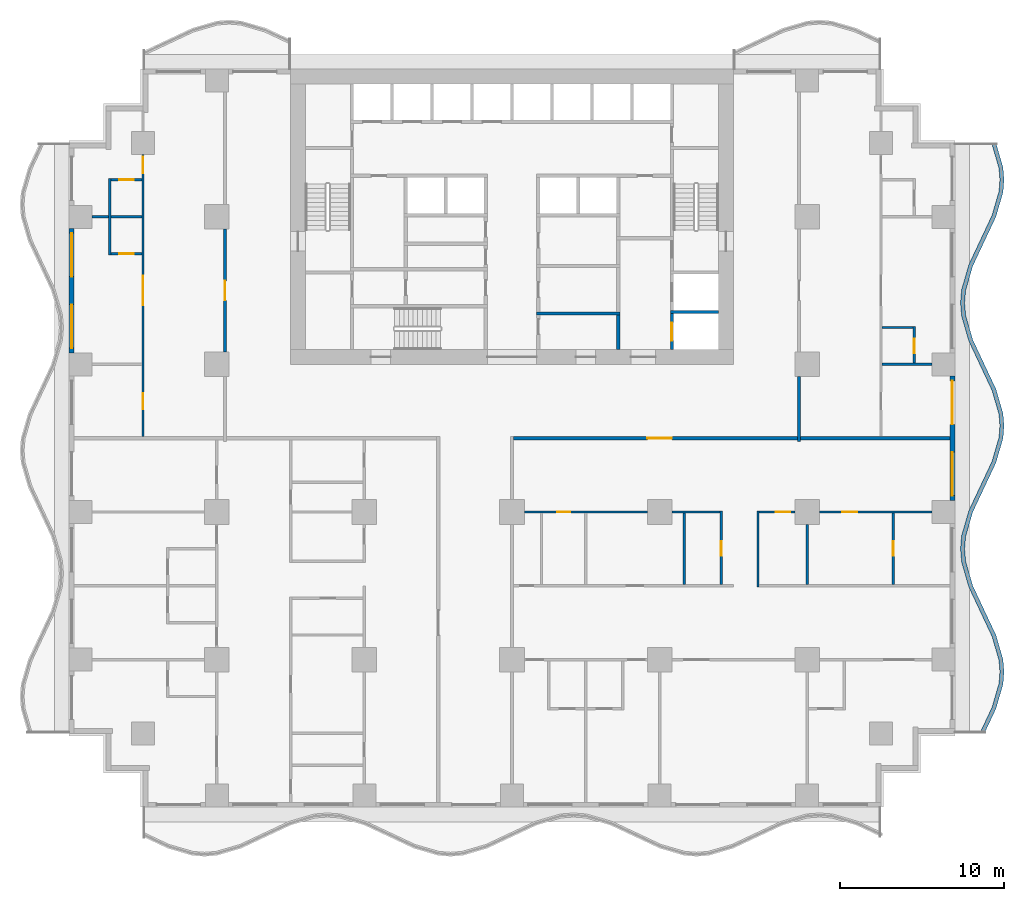
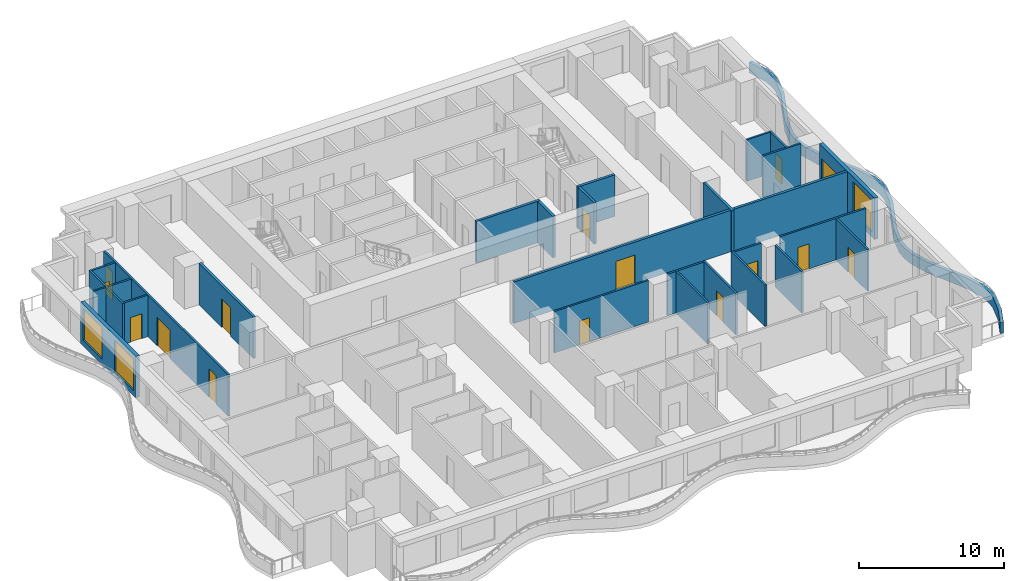
# One storey, part 4 of 14: 29 walls, 15 doors, 3 windows, 18 openings.
"""IFC4 building model written with IfcOpenShell, lengths in metres."""

from ifc_helpers import new_model, si_unit, direction, frame, frame_2d, origin, place, context, subcontext, project, spatial, polyline, rectangle, outline, extrude, material, layer, layer_set, type_object, element, fill, save


model = new_model("IFC4")

# Units and contexts
model_context = context("Model", 3, precision=1e-05, world=origin(), true_north=direction((0.0, 1.0)))
body_context = subcontext(model_context, "Body", "Model", "MODEL_VIEW")
ifc_project = project(units=[si_unit("LENGTHUNIT", "METRE"), si_unit("AREAUNIT", "SQUARE_METRE"), si_unit("VOLUMEUNIT", "CUBIC_METRE"), si_unit("PLANEANGLEUNIT", "RADIAN"), si_unit("MASSUNIT", "GRAM", prefix="KILO")], contexts=[model_context])

# Site, building, storey
site_placement = place(None, origin())
site = spatial("IfcSite", under=ifc_project, at=site_placement, CompositionType="ELEMENT")
building_placement = place(site_placement, origin())
building = spatial("IfcBuilding", under=site, at=building_placement, Name="Orbiselva Terraces", CompositionType="ELEMENT")
storey_placement = place(building_placement, frame((0.0, 0.0, 45.4)))
storey = spatial("IfcBuildingStorey", under=building, at=storey_placement, Name="L11", CompositionType="ELEMENT", Elevation=45.4)

# Walls
ifc_material_1 = material(Name="Concrete C60/75", Category="concrete")
ifc_layer_1 = layer(ifc_material_1, 0.2)
ifc_layer_set_1 = layer_set([ifc_layer_1], Name="Concrete C60/75")
wall_type_1 = type_object("IfcWallType", Name="CORE-WALL-SHEAR-200", PredefinedType="SHEAR", material=ifc_layer_set_1)
wall_1_placement = place(storey_placement, frame((1.5, 7.6, 0.0), z_axis=(0.0, 0.0, 1.0), x_axis=(1.0, 0.0, 0.0)))
element("IfcWall", 1, at=wall_1_placement, inside=storey, type_object=wall_type_1, Name="L11 core wall 30", PredefinedType="SHEAR", context=body_context, shape_type="SweptSolid", body=[
    extrude(rectangle(XDim=5.075, YDim=0.2, at=frame_2d((2.5375, 0.0))), origin(), (0.0, 0.0, 1.0), 3.5),
])
wall_2_placement = place(storey_placement, frame((6.475, 5.4, 0.0), z_axis=(0.0, 0.0, 1.0), x_axis=(0.0, 1.0, 0.0)))
element("IfcWall", 2, at=wall_2_placement, inside=storey, type_object=wall_type_1, Name="L11 core wall 40", PredefinedType="SHEAR", context=body_context, shape_type="SweptSolid", body=[
    extrude(rectangle(XDim=2.1, YDim=0.2, at=frame_2d((1.05, 0.0))), origin(), (0.0, 0.0, 1.0), 3.5),
])

# Wall, opening, door
wall_3_placement = place(storey_placement, frame((9.75, 5.4, 0.0), z_axis=(0.0, 0.0, 1.0), x_axis=(0.0, 1.0, 0.0)))
wall_3 = element("IfcWall", 3, at=wall_3_placement, inside=storey, type_object=wall_type_1, Name="L11 core wall 47", PredefinedType="SHEAR", context=body_context, shape_type="SweptSolid", body=[
    extrude(rectangle(XDim=2.2, YDim=0.2, at=frame_2d((1.1, 0.0))), origin(), (0.0, 0.0, 1.0), 3.5),
])
opening_1_placement = place(wall_3_placement, frame((0.55, 0.0, 0.0)))
opening_1 = element("IfcOpeningElement", 4, at=opening_1_placement, cuts=wall_3, Name="Opening LD-FF1", PredefinedType="OPENING", context=body_context, shape_type="SweptSolid", body=[
    extrude(rectangle(XDim=1.1, YDim=2.1, at=frame_2d((0.55, 1.05))), frame((0.0, 0.11, 0.0), z_axis=(0.0, -1.0, 0.0), x_axis=(1.0, 0.0, 0.0)), (0.0, 0.0, 1.0), 0.22),
])
ifc_material_2 = material(Name="Stainless steel landing door", Category="steel")
door_type_1 = type_object("IfcDoorType", Name="LANDING DOOR 1100", OperationType="SLIDING_TO_LEFT", PredefinedType="DOOR", material=ifc_material_2)
door_1_placement = place(opening_1_placement, origin())
door_1 = element("IfcDoor", 5, at=door_1_placement, inside=storey, type_object=door_type_1, Name="L11 landing door FF1", OperationType="SLIDING_TO_RIGHT", OverallHeight=2.1, OverallWidth=1.1, PredefinedType="DOOR", context=body_context, shape_type="SweptSolid", body=[
    extrude(rectangle(XDim=1.1, YDim=2.1, at=frame_2d((0.55, 1.05))), frame((0.0, 0.025, 0.0), z_axis=(0.0, -1.0, 0.0), x_axis=(1.0, 0.0, 0.0)), (0.0, 0.0, 1.0), 0.05),
])
fill(opening_1, door_1)

# Walls
wall_4_placement = place(storey_placement, frame((9.65, 7.7, 0.0), z_axis=(0.0, 0.0, 1.0), x_axis=(1.0, 0.0, 0.0)))
element("IfcWall", 6, at=wall_4_placement, inside=storey, type_object=wall_type_1, Name="L11 core wall 48", PredefinedType="SHEAR", context=body_context, shape_type="SweptSolid", body=[
    extrude(rectangle(XDim=2.95, YDim=0.2, at=frame_2d((1.475, 0.0))), origin(), (0.0, 0.0, 1.0), 3.5),
])
ifc_material_3 = material(Name="Concrete C40/50", Category="concrete")
ifc_layer_2 = layer(ifc_material_3, 0.25)
ifc_layer_set_2 = layer_set([ifc_layer_2], Name="Concrete C40/50")
wall_type_2 = type_object("IfcWallType", Name="ENV-PLANTER-250x900", PredefinedType="USERDEFINED", material=ifc_layer_set_2)
wall_5_placement = place(storey_placement, origin())
element("IfcWall", 7, at=wall_5_placement, inside=storey, type_object=wall_type_2, Name="Balcony planter L11 E", ObjectType="PLANTER", PredefinedType="USERDEFINED", context=body_context, shape_type="SweptSolid", body=[
    extrude(outline(polyline([(28.8, -18.0), (29.505342, -16.5), (29.941268, -15.0), (30.0, -14.25), (29.941268, -13.5), (29.505342, -12.0), (28.8, -10.5), (28.094658, -9.0), (27.658732, -7.5), (27.6, -6.75), (27.658732, -6.0), (28.094658, -4.5), (28.8, -3.0), (29.505342, -1.5), (29.941268, 0.0), (30.0, 0.75), (29.941268, 1.5), (29.505342, 3.0), (28.8, 4.5), (28.094658, 6.0), (27.658732, 7.5), (27.6, 8.25), (27.658732, 9.0), (28.094658, 10.5), (28.8, 12.0), (29.505342, 13.5), (29.941268, 15.0), (30.0, 15.75), (29.941268, 16.5), (29.505342, 18.0), (29.265274, 17.930232), (29.694035, 16.454886), (29.749235, 15.75), (29.694035, 15.045114), (29.270753, 13.588618), (28.573764, 12.106383), (27.860069, 10.588618), (27.411499, 9.045114), (27.349235, 8.25), (27.411499, 7.454886), (27.860069, 5.911382), (28.573764, 4.393617), (29.270753, 2.911382), (29.694035, 1.454886), (29.749235, 0.75), (29.694035, 0.045114), (29.270753, -1.411382), (28.573764, -2.893617), (27.860069, -4.411382), (27.411499, -5.954886), (27.349235, -6.75), (27.411499, -7.545114), (27.860069, -9.088618), (28.573764, -10.606383), (29.270753, -12.088618), (29.694035, -13.545114), (29.749235, -14.25), (29.694035, -14.954886), (29.270753, -16.411382), (28.573764, -17.893617), (28.8, -18.0)])), origin(), (0.0, 0.0, 1.0), 0.9),
])

# Wall, openings, door, window
ifc_material_4 = material(Name="Terracotta cladding on masonry backing", Category="masonry")
ifc_layer_3 = layer(ifc_material_4, 0.3)
ifc_layer_set_3 = layer_set([ifc_layer_3], Name="Terracotta cladding on masonry backing")
wall_type_3 = type_object("IfcWallType", Name="ENV-WALL-TERRACOTTA-300", PredefinedType="SOLIDWALL", material=ifc_layer_set_3)
wall_6_placement = place(storey_placement, frame((26.85, 3.8, 0.0), z_axis=(0.0, 0.0, 1.0), x_axis=(0.0, -1.0, 0.0)))
wall_6 = element("IfcWall", 8, at=wall_6_placement, inside=storey, type_object=wall_type_3, Name="Facade wall L11 E", PredefinedType="SOLIDWALL", context=body_context, shape_type="SweptSolid", body=[
    extrude(rectangle(XDim=7.6, YDim=0.3, at=frame_2d((3.8, 0.0))), origin(), (0.0, 0.0, 1.0), 3.5),
])
opening_2_placement = place(wall_6_placement, frame((4.65, 0.0, 0.45)))
opening_2 = element("IfcOpeningElement", 9, at=opening_2_placement, cuts=wall_6, Name="Opening WN3", PredefinedType="OPENING", context=body_context, shape_type="SweptSolid", body=[
    extrude(rectangle(XDim=2.65, YDim=2.65, at=frame_2d((1.325, 1.325))), frame((0.0, 0.16, 0.0), z_axis=(0.0, -1.0, 0.0), x_axis=(1.0, 0.0, 0.0)), (0.0, 0.0, 1.0), 0.32),
])
opening_3_placement = place(wall_6_placement, frame((0.3, 0.0, 0.0)))
opening_3 = element("IfcOpeningElement", 10, at=opening_3_placement, cuts=wall_6, Name="Opening Z1-C-E18", PredefinedType="OPENING", context=body_context, shape_type="SweptSolid", body=[
    extrude(rectangle(XDim=2.65, YDim=2.4, at=frame_2d((1.325, 1.2))), frame((0.0, 0.16, 0.0), z_axis=(0.0, -1.0, 0.0), x_axis=(1.0, 0.0, 0.0)), (0.0, 0.0, 1.0), 0.32),
])
ifc_material_5 = material(Name="Clear low-e glazing in aluminium frame", Category="aluminium")
door_type_2 = type_object("IfcDoorType", Name="BALCONY DOOR 2650 X 2400", OperationType="DOUBLE_DOOR_SLIDING", PredefinedType="DOOR", material=ifc_material_5)
door_2_placement = place(opening_3_placement, origin())
door_2 = element("IfcDoor", 11, at=door_2_placement, inside=storey, type_object=door_type_2, Name="Z1-C-E18", OperationType="SINGLE_SWING_LEFT", OverallHeight=2.4, OverallWidth=2.65, PredefinedType="DOOR", context=body_context, shape_type="SweptSolid", body=[
    extrude(rectangle(XDim=2.65, YDim=2.4, at=frame_2d((1.325, 1.2))), frame((0.0, 0.025, 0.0), z_axis=(0.0, -1.0, 0.0), x_axis=(1.0, 0.0, 0.0)), (0.0, 0.0, 1.0), 0.05),
])
fill(opening_3, door_2)
window_type = type_object("IfcWindowType", Name="WINDOW 2650 X 2650 S450", PartitioningType="TRIPLE_PANEL_VERTICAL", PredefinedType="WINDOW", material=ifc_material_5)
window_1_placement = place(opening_2_placement, origin())
window_1 = element("IfcWindow", 12, at=window_1_placement, inside=storey, type_object=window_type, Name="Window L11 E", OverallHeight=2.65, OverallWidth=2.65, PartitioningType="SINGLE_PANEL", PredefinedType="WINDOW", context=body_context, shape_type="SweptSolid", body=[
    extrude(rectangle(XDim=2.65, YDim=2.65, at=frame_2d((1.325, 1.325))), frame((0.0, 0.03, 0.0), z_axis=(0.0, -1.0, 0.0), x_axis=(1.0, 0.0, 0.0)), (0.0, 0.0, 1.0), 0.06),
])
fill(opening_2, window_1)

# Wall, openings, windows
wall_7_placement = place(storey_placement, frame((-26.85, 5.2, 0.0), z_axis=(0.0, 0.0, 1.0), x_axis=(0.0, 1.0, 0.0)))
wall_7 = element("IfcWall", 13, at=wall_7_placement, inside=storey, type_object=wall_type_3, Name="Facade wall L11 W", PredefinedType="SOLIDWALL", context=body_context, shape_type="SweptSolid", body=[
    extrude(rectangle(XDim=7.6, YDim=0.3, at=frame_2d((3.8, 0.0))), origin(), (0.0, 0.0, 1.0), 3.5),
])
opening_4_placement = place(wall_7_placement, frame((4.65, 0.0, 0.45)))
opening_4 = element("IfcOpeningElement", 14, at=opening_4_placement, cuts=wall_7, Name="Opening WN3", PredefinedType="OPENING", context=body_context, shape_type="SweptSolid", body=[
    extrude(rectangle(XDim=2.65, YDim=2.65, at=frame_2d((1.325, 1.325))), frame((0.0, 0.16, 0.0), z_axis=(0.0, -1.0, 0.0), x_axis=(1.0, 0.0, 0.0)), (0.0, 0.0, 1.0), 0.32),
])
opening_5_placement = place(wall_7_placement, frame((0.3, 0.0, 0.45)))
opening_5 = element("IfcOpeningElement", 15, at=opening_5_placement, cuts=wall_7, Name="Opening WN3", PredefinedType="OPENING", context=body_context, shape_type="SweptSolid", body=[
    extrude(rectangle(XDim=2.65, YDim=2.65, at=frame_2d((1.325, 1.325))), frame((0.0, 0.16, 0.0), z_axis=(0.0, -1.0, 0.0), x_axis=(1.0, 0.0, 0.0)), (0.0, 0.0, 1.0), 0.32),
])
window_2_placement = place(opening_4_placement, origin())
window_2 = element("IfcWindow", 16, at=window_2_placement, inside=storey, type_object=window_type, Name="Window L11 W", OverallHeight=2.65, OverallWidth=2.65, PartitioningType="SINGLE_PANEL", PredefinedType="WINDOW", context=body_context, shape_type="SweptSolid", body=[
    extrude(rectangle(XDim=2.65, YDim=2.65, at=frame_2d((1.325, 1.325))), frame((0.0, 0.03, 0.0), z_axis=(0.0, -1.0, 0.0), x_axis=(1.0, 0.0, 0.0)), (0.0, 0.0, 1.0), 0.06),
])
fill(opening_4, window_2)
window_3_placement = place(opening_5_placement, origin())
window_3 = element("IfcWindow", 17, at=window_3_placement, inside=storey, type_object=window_type, Name="Window L11 W", OverallHeight=2.65, OverallWidth=2.65, PartitioningType="SINGLE_PANEL", PredefinedType="WINDOW", context=body_context, shape_type="SweptSolid", body=[
    extrude(rectangle(XDim=2.65, YDim=2.65, at=frame_2d((1.325, 1.325))), frame((0.0, 0.03, 0.0), z_axis=(0.0, -1.0, 0.0), x_axis=(1.0, 0.0, 0.0)), (0.0, 0.0, 1.0), 0.06),
])
fill(opening_5, window_3)

# Wall, opening, door
ifc_material_6 = material(Name="Plasterboard on steel stud partition", Category="steel")
ifc_layer_4 = layer(ifc_material_6, 0.2)
ifc_layer_set_4 = layer_set([ifc_layer_4], Name="Plasterboard on steel stud partition")
wall_type_4 = type_object("IfcWallType", Name="UNIT-ENTRANCE-WALL-200", PredefinedType="PARTITIONING", material=ifc_layer_set_4)
wall_8_placement = place(storey_placement, frame((17.4, 0.0, 0.0), z_axis=(0.0, 0.0, 1.0), x_axis=(-1.0, 0.0, 0.0)))
wall_8 = element("IfcWall", 18, at=wall_8_placement, inside=storey, type_object=wall_type_4, Name="PARTITION L11-028", PredefinedType="PARTITIONING", context=body_context, shape_type="SweptSolid", body=[
    extrude(rectangle(XDim=17.3, YDim=0.2, at=frame_2d((8.65, 0.0))), origin(), (0.0, 0.0, 1.0), 3.5),
])
opening_6_placement = place(wall_8_placement, frame((7.65, 0.0, 0.0)))
opening_6 = element("IfcOpeningElement", 19, at=opening_6_placement, cuts=wall_8, Name="Opening Z1-C-28", PredefinedType="OPENING", context=body_context, shape_type="SweptSolid", body=[
    extrude(rectangle(XDim=1.5, YDim=2.4, at=frame_2d((0.75, 1.2))), frame((0.0, 0.11, 0.0), z_axis=(0.0, -1.0, 0.0), x_axis=(1.0, 0.0, 0.0)), (0.0, 0.0, 1.0), 0.22),
])
ifc_material_7 = material(Name="Painted timber door leaf", Category="wood")
door_type_3 = type_object("IfcDoorType", Name="ENTRANCE DOUBLE DOOR 1500", OperationType="NOTDEFINED", PredefinedType="DOOR", material=ifc_material_7)
door_3_placement = place(opening_6_placement, origin())
door_3 = element("IfcDoor", 20, at=door_3_placement, inside=storey, type_object=door_type_3, Name="Z1-C-28", OperationType="DOUBLE_DOOR_SINGLE_SWING", OverallHeight=2.4, OverallWidth=1.5, PredefinedType="DOOR", context=body_context, shape_type="SweptSolid", body=[
    extrude(rectangle(XDim=1.5, YDim=2.4, at=frame_2d((0.75, 1.2))), frame((0.0, 0.025, 0.0), z_axis=(0.0, -1.0, 0.0), x_axis=(1.0, 0.0, 0.0)), (0.0, 0.0, 1.0), 0.05),
])
fill(opening_6, door_3)

wall_9_placement = place(storey_placement, frame((-17.5, 5.25, 0.0), z_axis=(0.0, 0.0, 1.0), x_axis=(0.0, 1.0, 0.0)))
wall_9 = element("IfcWall", 21, at=wall_9_placement, inside=storey, type_object=wall_type_4, Name="PARTITION L11-049", PredefinedType="PARTITIONING", context=body_context, shape_type="SweptSolid", body=[
    extrude(rectangle(XDim=7.5, YDim=0.2, at=frame_2d((3.75, 0.0))), origin(), (0.0, 0.0, 1.0), 3.5),
])
opening_7_placement = place(wall_9_placement, frame((3.15, 0.0, 0.0)))
opening_7 = element("IfcOpeningElement", 22, at=opening_7_placement, cuts=wall_9, Name="Opening Z1-C-01", PredefinedType="OPENING", context=body_context, shape_type="SweptSolid", body=[
    extrude(rectangle(XDim=1.2, YDim=2.4, at=frame_2d((0.6, 1.2))), frame((0.0, 0.11, 0.0), z_axis=(0.0, -1.0, 0.0), x_axis=(1.0, 0.0, 0.0)), (0.0, 0.0, 1.0), 0.22),
])
door_type_4 = type_object("IfcDoorType", Name="ENTRANCE DOOR 1200", OperationType="NOTDEFINED", PredefinedType="DOOR", material=ifc_material_7)
door_4_placement = place(opening_7_placement, origin())
door_4 = element("IfcDoor", 23, at=door_4_placement, inside=storey, type_object=door_type_4, Name="Z1-C-01", OperationType="SINGLE_SWING_LEFT", OverallHeight=2.4, OverallWidth=1.2, PredefinedType="DOOR", context=body_context, shape_type="SweptSolid", body=[
    extrude(rectangle(XDim=1.2, YDim=2.4, at=frame_2d((0.6, 1.2))), frame((0.0, 0.025, 0.0), z_axis=(0.0, -1.0, 0.0), x_axis=(1.0, 0.0, 0.0)), (0.0, 0.0, 1.0), 0.05),
])
fill(opening_7, door_4)

# Wall
wall_10_placement = place(storey_placement, frame((17.5, -0.2, 0.0), z_axis=(0.0, 0.0, 1.0), x_axis=(0.0, 1.0, 0.0)))
element("IfcWall", 24, at=wall_10_placement, inside=storey, type_object=wall_type_4, Name="PARTITION L11-070", PredefinedType="PARTITIONING", context=body_context, shape_type="SweptSolid", body=[
    extrude(rectangle(XDim=3.95, YDim=0.2, at=frame_2d((1.975, 0.0))), origin(), (0.0, 0.0, 1.0), 3.5),
])

# Wall, opening, door
ifc_layer_5 = layer(ifc_material_6, 0.15)
ifc_layer_set_5 = layer_set([ifc_layer_5], Name="Plasterboard on steel stud partition")
wall_type_5 = type_object("IfcWallType", Name="UNIT-PARTITION-150", PredefinedType="PARTITIONING", material=ifc_layer_set_5)
wall_11_placement = place(storey_placement, frame((8.25, -4.5, 0.0), z_axis=(0.0, 0.0, 1.0), x_axis=(-1.0, 0.0, 0.0)))
wall_11 = element("IfcWall", 25, at=wall_11_placement, inside=storey, type_object=wall_type_5, Name="PARTITION L11-022", PredefinedType="PARTITIONING", context=body_context, shape_type="SweptSolid", body=[
    extrude(rectangle(XDim=7.5, YDim=0.15, at=frame_2d((3.75, 0.0))), origin(), (0.0, 0.0, 1.0), 3.5),
])
opening_8_placement = place(wall_11_placement, frame((4.7, 0.0, 0.0)))
opening_8 = element("IfcOpeningElement", 26, at=opening_8_placement, cuts=wall_11, Name="Opening Z1-C-30", PredefinedType="OPENING", context=body_context, shape_type="SweptSolid", body=[
    extrude(rectangle(XDim=0.8, YDim=2.0, at=frame_2d((0.4, 1.0))), frame((0.0, 0.085, 0.0), z_axis=(0.0, -1.0, 0.0), x_axis=(1.0, 0.0, 0.0)), (0.0, 0.0, 1.0), 0.17),
])
door_type_5 = type_object("IfcDoorType", Name="STORE DOOR 800", OperationType="NOTDEFINED", PredefinedType="DOOR", material=ifc_material_7)
door_5_placement = place(opening_8_placement, origin())
door_5 = element("IfcDoor", 27, at=door_5_placement, inside=storey, type_object=door_type_5, Name="Z1-C-30", OperationType="SINGLE_SWING_RIGHT", OverallHeight=2.0, OverallWidth=0.8, PredefinedType="DOOR", context=body_context, shape_type="SweptSolid", body=[
    extrude(rectangle(XDim=0.8, YDim=2.0, at=frame_2d((0.4, 1.0))), frame((0.0, 0.025, 0.0), z_axis=(0.0, -1.0, 0.0), x_axis=(1.0, 0.0, 0.0)), (0.0, 0.0, 1.0), 0.05),
])
fill(opening_8, door_5)

# Wall
wall_12_placement = place(storey_placement, frame((9.75, -4.5, 0.0), z_axis=(0.0, 0.0, 1.0), x_axis=(1.0, 0.0, 0.0)))
element("IfcWall", 28, at=wall_12_placement, inside=storey, type_object=wall_type_5, Name="PARTITION L11-023", PredefinedType="PARTITIONING", context=body_context, shape_type="SweptSolid", body=[
    extrude(rectangle(XDim=2.925, YDim=0.15, at=frame_2d((1.4625, 0.0))), origin(), (0.0, 0.0, 1.0), 3.5),
])

# Wall, opening, door
wall_13_placement = place(storey_placement, frame((17.25, -4.5, 0.0), z_axis=(0.0, 0.0, 1.0), x_axis=(-1.0, 0.0, 0.0)))
wall_13 = element("IfcWall", 29, at=wall_13_placement, inside=storey, type_object=wall_type_5, Name="PARTITION L11-024", PredefinedType="PARTITIONING", context=body_context, shape_type="SweptSolid", body=[
    extrude(rectangle(XDim=2.175, YDim=0.15, at=frame_2d((1.0875, 0.0))), origin(), (0.0, 0.0, 1.0), 3.5),
])
opening_9_placement = place(wall_13_placement, frame((0.275, 0.0, 0.0)))
opening_9 = element("IfcOpeningElement", 30, at=opening_9_placement, cuts=wall_13, Name="Opening Z1-C-33", PredefinedType="OPENING", context=body_context, shape_type="SweptSolid", body=[
    extrude(rectangle(XDim=0.9, YDim=2.1, at=frame_2d((0.45, 1.05))), frame((0.0, 0.085, 0.0), z_axis=(0.0, -1.0, 0.0), x_axis=(1.0, 0.0, 0.0)), (0.0, 0.0, 1.0), 0.17),
])
door_type_6 = type_object("IfcDoorType", Name="SERVICE DOOR 900", OperationType="NOTDEFINED", PredefinedType="DOOR", material=ifc_material_7)
door_6_placement = place(opening_9_placement, origin())
door_6 = element("IfcDoor", 31, at=door_6_placement, inside=storey, type_object=door_type_6, Name="Z1-C-33", OperationType="SINGLE_SWING_LEFT", OverallHeight=2.1, OverallWidth=0.9, PredefinedType="DOOR", context=body_context, shape_type="SweptSolid", body=[
    extrude(rectangle(XDim=0.9, YDim=2.1, at=frame_2d((0.45, 1.05))), frame((0.0, 0.025, 0.0), z_axis=(0.0, -1.0, 0.0), x_axis=(1.0, 0.0, 0.0)), (0.0, 0.0, 1.0), 0.05),
])
fill(opening_9, door_6)

wall_14_placement = place(storey_placement, frame((25.6, -4.5, 0.0), z_axis=(0.0, 0.0, 1.0), x_axis=(-1.0, 0.0, 0.0)))
wall_14 = element("IfcWall", 32, at=wall_14_placement, inside=storey, type_object=wall_type_5, Name="PARTITION L11-025", PredefinedType="PARTITIONING", context=body_context, shape_type="SweptSolid", body=[
    extrude(rectangle(XDim=6.85, YDim=0.15, at=frame_2d((3.425, 0.0))), origin(), (0.0, 0.0, 1.0), 3.5),
])
opening_10_placement = place(wall_14_placement, frame((4.55, 0.0, 0.0)))
opening_10 = element("IfcOpeningElement", 33, at=opening_10_placement, cuts=wall_14, Name="Opening Z1-C-34", PredefinedType="OPENING", context=body_context, shape_type="SweptSolid", body=[
    extrude(rectangle(XDim=0.9, YDim=2.1, at=frame_2d((0.45, 1.05))), frame((0.0, 0.085, 0.0), z_axis=(0.0, -1.0, 0.0), x_axis=(1.0, 0.0, 0.0)), (0.0, 0.0, 1.0), 0.17),
])
door_7_placement = place(opening_10_placement, origin())
door_7 = element("IfcDoor", 34, at=door_7_placement, inside=storey, type_object=door_type_6, Name="Z1-C-34", OperationType="SINGLE_SWING_RIGHT", OverallHeight=2.1, OverallWidth=0.9, PredefinedType="DOOR", context=body_context, shape_type="SweptSolid", body=[
    extrude(rectangle(XDim=0.9, YDim=2.1, at=frame_2d((0.45, 1.05))), frame((0.0, 0.025, 0.0), z_axis=(0.0, -1.0, 0.0), x_axis=(1.0, 0.0, 0.0)), (0.0, 0.0, 1.0), 0.05),
])
fill(opening_10, door_7)

# Walls
wall_15_placement = place(storey_placement, frame((22.575, 4.5, 0.0), z_axis=(0.0, 0.0, 1.0), x_axis=(1.0, 0.0, 0.0)))
element("IfcWall", 35, at=wall_15_placement, inside=storey, type_object=wall_type_5, Name="PARTITION L11-032", PredefinedType="PARTITIONING", context=body_context, shape_type="SweptSolid", body=[
    extrude(rectangle(XDim=3.025, YDim=0.15, at=frame_2d((1.5125, 0.0))), origin(), (0.0, 0.0, 1.0), 3.5),
])
wall_16_placement = place(storey_placement, frame((22.575, 6.75, 0.0), z_axis=(0.0, 0.0, 1.0), x_axis=(1.0, 0.0, 0.0)))
element("IfcWall", 36, at=wall_16_placement, inside=storey, type_object=wall_type_5, Name="PARTITION L11-033", PredefinedType="PARTITIONING", context=body_context, shape_type="SweptSolid", body=[
    extrude(rectangle(XDim=1.875, YDim=0.15, at=frame_2d((0.9375, 0.0))), origin(), (0.0, 0.0, 1.0), 3.5),
])

# Wall, opening, door
wall_17_placement = place(storey_placement, frame((-24.45, 11.25, 0.0), z_axis=(0.0, 0.0, 1.0), x_axis=(1.0, 0.0, 0.0)))
wall_17 = element("IfcWall", 37, at=wall_17_placement, inside=storey, type_object=wall_type_5, Name="PARTITION L11-034", PredefinedType="PARTITIONING", context=body_context, shape_type="SweptSolid", body=[
    extrude(rectangle(XDim=1.875, YDim=0.15, at=frame_2d((0.9375, 0.0))), origin(), (0.0, 0.0, 1.0), 3.5),
])
opening_11_placement = place(wall_17_placement, frame((0.5, 0.0, 0.0)))
opening_11 = element("IfcOpeningElement", 38, at=opening_11_placement, cuts=wall_17, Name="Opening Z1-C-04", PredefinedType="OPENING", context=body_context, shape_type="SweptSolid", body=[
    extrude(rectangle(XDim=0.9, YDim=2.1, at=frame_2d((0.45, 1.05))), frame((0.0, 0.085, 0.0), z_axis=(0.0, -1.0, 0.0), x_axis=(1.0, 0.0, 0.0)), (0.0, 0.0, 1.0), 0.17),
])
door_type_7 = type_object("IfcDoorType", Name="BATH DOOR 900", OperationType="NOTDEFINED", PredefinedType="DOOR", material=ifc_material_7)
door_8_placement = place(opening_11_placement, origin())
door_8 = element("IfcDoor", 39, at=door_8_placement, inside=storey, type_object=door_type_7, Name="Z1-C-04", OperationType="SINGLE_SWING_RIGHT", OverallHeight=2.1, OverallWidth=0.9, PredefinedType="DOOR", context=body_context, shape_type="SweptSolid", body=[
    extrude(rectangle(XDim=0.9, YDim=2.1, at=frame_2d((0.45, 1.05))), frame((0.0, 0.025, 0.0), z_axis=(0.0, -1.0, 0.0), x_axis=(1.0, 0.0, 0.0)), (0.0, 0.0, 1.0), 0.05),
])
fill(opening_11, door_8)

# Walls
wall_18_placement = place(storey_placement, frame((-25.6, 13.5, 0.0), z_axis=(0.0, 0.0, 1.0), x_axis=(1.0, 0.0, 0.0)))
element("IfcWall", 40, at=wall_18_placement, inside=storey, type_object=wall_type_5, Name="PARTITION L11-035", PredefinedType="PARTITIONING", context=body_context, shape_type="SweptSolid", body=[
    extrude(rectangle(XDim=1.0, YDim=0.15, at=frame_2d((0.5, 0.0))), origin(), (0.0, 0.0, 1.0), 3.5),
])
wall_19_placement = place(storey_placement, frame((-24.45, 13.5, 0.0), z_axis=(0.0, 0.0, 1.0), x_axis=(1.0, 0.0, 0.0)))
element("IfcWall", 41, at=wall_19_placement, inside=storey, type_object=wall_type_5, Name="PARTITION L11-036", PredefinedType="PARTITIONING", context=body_context, shape_type="SweptSolid", body=[
    extrude(rectangle(XDim=1.875, YDim=0.15, at=frame_2d((0.9375, 0.0))), origin(), (0.0, 0.0, 1.0), 3.5),
])

# Wall, opening, door
wall_20_placement = place(storey_placement, frame((-22.575, 15.75, 0.0), z_axis=(0.0, 0.0, 1.0), x_axis=(-1.0, 0.0, 0.0)))
wall_20 = element("IfcWall", 42, at=wall_20_placement, inside=storey, type_object=wall_type_5, Name="PARTITION L11-038", PredefinedType="PARTITIONING", context=body_context, shape_type="SweptSolid", body=[
    extrude(rectangle(XDim=1.875, YDim=0.15, at=frame_2d((0.9375, 0.0))), origin(), (0.0, 0.0, 1.0), 3.5),
])
opening_12_placement = place(wall_20_placement, frame((0.475, 0.0, 0.0)))
opening_12 = element("IfcOpeningElement", 43, at=opening_12_placement, cuts=wall_20, Name="Opening Z1-C-06", PredefinedType="OPENING", context=body_context, shape_type="SweptSolid", body=[
    extrude(rectangle(XDim=0.9, YDim=2.1, at=frame_2d((0.45, 1.05))), frame((0.0, 0.085, 0.0), z_axis=(0.0, -1.0, 0.0), x_axis=(1.0, 0.0, 0.0)), (0.0, 0.0, 1.0), 0.17),
])
door_9_placement = place(opening_12_placement, origin())
door_9 = element("IfcDoor", 44, at=door_9_placement, inside=storey, type_object=door_type_7, Name="Z1-C-06", OperationType="SINGLE_SWING_LEFT", OverallHeight=2.1, OverallWidth=0.9, PredefinedType="DOOR", context=body_context, shape_type="SweptSolid", body=[
    extrude(rectangle(XDim=0.9, YDim=2.1, at=frame_2d((0.45, 1.05))), frame((0.0, 0.025, 0.0), z_axis=(0.0, -1.0, 0.0), x_axis=(1.0, 0.0, 0.0)), (0.0, 0.0, 1.0), 0.05),
])
fill(opening_12, door_9)

# Wall
wall_21_placement = place(storey_placement, frame((-24.525, 11.175, 0.0), z_axis=(0.0, 0.0, 1.0), x_axis=(0.0, 1.0, 0.0)))
element("IfcWall", 45, at=wall_21_placement, inside=storey, type_object=wall_type_5, Name="PARTITION L11-040", PredefinedType="PARTITIONING", context=body_context, shape_type="SweptSolid", body=[
    extrude(rectangle(XDim=4.65, YDim=0.15, at=frame_2d((2.325, 0.0))), origin(), (0.0, 0.0, 1.0), 3.5),
])

# Wall, openings, doors
wall_22_placement = place(storey_placement, frame((-22.5, 0.1, 0.0), z_axis=(0.0, 0.0, 1.0), x_axis=(0.0, 1.0, 0.0)))
wall_22 = element("IfcWall", 46, at=wall_22_placement, inside=storey, type_object=wall_type_5, Name="PARTITION L11-041", PredefinedType="PARTITIONING", context=body_context, shape_type="SweptSolid", body=[
    extrude(rectangle(XDim=17.2, YDim=0.15, at=frame_2d((8.6, 0.0))), origin(), (0.0, 0.0, 1.0), 3.5),
])
opening_13_placement = place(wall_22_placement, frame((1.65, 0.0, 0.0)))
opening_13 = element("IfcOpeningElement", 47, at=opening_13_placement, cuts=wall_22, Name="Opening Z1-C-02", PredefinedType="OPENING", context=body_context, shape_type="SweptSolid", body=[
    extrude(rectangle(XDim=1.0, YDim=2.4, at=frame_2d((0.5, 1.2))), frame((0.0, 0.085, 0.0), z_axis=(0.0, -1.0, 0.0), x_axis=(1.0, 0.0, 0.0)), (0.0, 0.0, 1.0), 0.17),
])
opening_14_placement = place(wall_22_placement, frame((8.0, 0.0, 0.0)))
opening_14 = element("IfcOpeningElement", 48, at=opening_14_placement, cuts=wall_22, Name="Opening Z1-C-03", PredefinedType="OPENING", context=body_context, shape_type="SweptSolid", body=[
    extrude(rectangle(XDim=1.8, YDim=2.4, at=frame_2d((0.9, 1.2))), frame((0.0, 0.085, 0.0), z_axis=(0.0, -1.0, 0.0), x_axis=(1.0, 0.0, 0.0)), (0.0, 0.0, 1.0), 0.17),
])
opening_15_placement = place(wall_22_placement, frame((16.05, 0.0, 0.0)))
opening_15 = element("IfcOpeningElement", 49, at=opening_15_placement, cuts=wall_22, Name="Opening Z1-C-05", PredefinedType="OPENING", context=body_context, shape_type="SweptSolid", body=[
    extrude(rectangle(XDim=1.0, YDim=2.4, at=frame_2d((0.5, 1.2))), frame((0.0, 0.085, 0.0), z_axis=(0.0, -1.0, 0.0), x_axis=(1.0, 0.0, 0.0)), (0.0, 0.0, 1.0), 0.17),
])
door_type_8 = type_object("IfcDoorType", Name="DOUBLE DOOR 1800", OperationType="NOTDEFINED", PredefinedType="DOOR", material=ifc_material_7)
door_10_placement = place(opening_14_placement, origin())
door_10 = element("IfcDoor", 50, at=door_10_placement, inside=storey, type_object=door_type_8, Name="Z1-C-03", OperationType="DOUBLE_DOOR_SINGLE_SWING", OverallHeight=2.4, OverallWidth=1.8, PredefinedType="DOOR", context=body_context, shape_type="SweptSolid", body=[
    extrude(rectangle(XDim=1.8, YDim=2.4, at=frame_2d((0.9, 1.2))), frame((0.0, 0.025, 0.0), z_axis=(0.0, -1.0, 0.0), x_axis=(1.0, 0.0, 0.0)), (0.0, 0.0, 1.0), 0.05),
])
fill(opening_14, door_10)
door_type_9 = type_object("IfcDoorType", Name="ROOM DOOR 1000", OperationType="NOTDEFINED", PredefinedType="DOOR", material=ifc_material_7)
door_11_placement = place(opening_13_placement, origin())
door_11 = element("IfcDoor", 51, at=door_11_placement, inside=storey, type_object=door_type_9, Name="Z1-C-02", OperationType="SINGLE_SWING_LEFT", OverallHeight=2.4, OverallWidth=1.0, PredefinedType="DOOR", context=body_context, shape_type="SweptSolid", body=[
    extrude(rectangle(XDim=1.0, YDim=2.4, at=frame_2d((0.5, 1.2))), frame((0.0, 0.025, 0.0), z_axis=(0.0, -1.0, 0.0), x_axis=(1.0, 0.0, 0.0)), (0.0, 0.0, 1.0), 0.05),
])
fill(opening_13, door_11)
door_12_placement = place(opening_15_placement, origin())
door_12 = element("IfcDoor", 52, at=door_12_placement, inside=storey, type_object=door_type_9, Name="Z1-C-05", OperationType="SINGLE_SWING_RIGHT", OverallHeight=2.4, OverallWidth=1.0, PredefinedType="DOOR", context=body_context, shape_type="SweptSolid", body=[
    extrude(rectangle(XDim=1.0, YDim=2.4, at=frame_2d((0.5, 1.2))), frame((0.0, 0.025, 0.0), z_axis=(0.0, -1.0, 0.0), x_axis=(1.0, 0.0, 0.0)), (0.0, 0.0, 1.0), 0.05),
])
fill(opening_15, door_12)

# Wall
wall_23_placement = place(storey_placement, frame((10.5, -8.925, 0.0), z_axis=(0.0, 0.0, 1.0), x_axis=(0.0, 1.0, 0.0)))
element("IfcWall", 53, at=wall_23_placement, inside=storey, type_object=wall_type_5, Name="PARTITION L11-067", PredefinedType="PARTITIONING", context=body_context, shape_type="SweptSolid", body=[
    extrude(rectangle(XDim=4.35, YDim=0.15, at=frame_2d((2.175, 0.0))), origin(), (0.0, 0.0, 1.0), 3.5),
])

# Wall, opening, door
wall_24_placement = place(storey_placement, frame((12.75, -8.925, 0.0), z_axis=(0.0, 0.0, 1.0), x_axis=(0.0, 1.0, 0.0)))
wall_24 = element("IfcWall", 54, at=wall_24_placement, inside=storey, type_object=wall_type_5, Name="PARTITION L11-068", PredefinedType="PARTITIONING", context=body_context, shape_type="SweptSolid", body=[
    extrude(rectangle(XDim=4.5, YDim=0.15, at=frame_2d((2.25, 0.0))), origin(), (0.0, 0.0, 1.0), 3.5),
])
opening_16_placement = place(wall_24_placement, frame((1.75, 0.0, 0.0)))
opening_16 = element("IfcOpeningElement", 55, at=opening_16_placement, cuts=wall_24, Name="Opening Z1-C-32", PredefinedType="OPENING", context=body_context, shape_type="SweptSolid", body=[
    extrude(rectangle(XDim=0.9, YDim=2.1, at=frame_2d((0.45, 1.05))), frame((0.0, 0.085, 0.0), z_axis=(0.0, -1.0, 0.0), x_axis=(1.0, 0.0, 0.0)), (0.0, 0.0, 1.0), 0.17),
])
door_13_placement = place(opening_16_placement, origin())
door_13 = element("IfcDoor", 56, at=door_13_placement, inside=storey, type_object=door_type_7, Name="Z1-C-32", OperationType="SINGLE_SWING_LEFT", OverallHeight=2.1, OverallWidth=0.9, PredefinedType="DOOR", context=body_context, shape_type="SweptSolid", body=[
    extrude(rectangle(XDim=0.9, YDim=2.1, at=frame_2d((0.45, 1.05))), frame((0.0, 0.025, 0.0), z_axis=(0.0, -1.0, 0.0), x_axis=(1.0, 0.0, 0.0)), (0.0, 0.0, 1.0), 0.05),
])
fill(opening_16, door_13)

# Walls
wall_25_placement = place(storey_placement, frame((15.0, -9.075, 0.0), z_axis=(0.0, 0.0, 1.0), x_axis=(0.0, 1.0, 0.0)))
element("IfcWall", 57, at=wall_25_placement, inside=storey, type_object=wall_type_5, Name="PARTITION L11-069", PredefinedType="PARTITIONING", context=body_context, shape_type="SweptSolid", body=[
    extrude(rectangle(XDim=4.65, YDim=0.15, at=frame_2d((2.325, 0.0))), origin(), (0.0, 0.0, 1.0), 3.5),
])
wall_26_placement = place(storey_placement, frame((18.0, -8.925, 0.0), z_axis=(0.0, 0.0, 1.0), x_axis=(0.0, 1.0, 0.0)))
element("IfcWall", 58, at=wall_26_placement, inside=storey, type_object=wall_type_5, Name="PARTITION L11-074", PredefinedType="PARTITIONING", context=body_context, shape_type="SweptSolid", body=[
    extrude(rectangle(XDim=3.675, YDim=0.15, at=frame_2d((1.8375, 0.0))), origin(), (0.0, 0.0, 1.0), 3.5),
])

# Wall, opening, door
wall_27_placement = place(storey_placement, frame((23.25, -4.575, 0.0), z_axis=(0.0, 0.0, 1.0), x_axis=(0.0, -1.0, 0.0)))
wall_27 = element("IfcWall", 59, at=wall_27_placement, inside=storey, type_object=wall_type_5, Name="PARTITION L11-078", PredefinedType="PARTITIONING", context=body_context, shape_type="SweptSolid", body=[
    extrude(rectangle(XDim=4.35, YDim=0.15, at=frame_2d((2.175, 0.0))), origin(), (0.0, 0.0, 1.0), 3.5),
])
opening_17_placement = place(wall_27_placement, frame((1.7, 0.0, 0.0)))
opening_17 = element("IfcOpeningElement", 60, at=opening_17_placement, cuts=wall_27, Name="Opening Z1-C-35", PredefinedType="OPENING", context=body_context, shape_type="SweptSolid", body=[
    extrude(rectangle(XDim=0.9, YDim=2.1, at=frame_2d((0.45, 1.05))), frame((0.0, 0.085, 0.0), z_axis=(0.0, -1.0, 0.0), x_axis=(1.0, 0.0, 0.0)), (0.0, 0.0, 1.0), 0.17),
])
door_14_placement = place(opening_17_placement, origin())
door_14 = element("IfcDoor", 61, at=door_14_placement, inside=storey, type_object=door_type_7, Name="Z1-C-35", OperationType="SINGLE_SWING_LEFT", OverallHeight=2.1, OverallWidth=0.9, PredefinedType="DOOR", context=body_context, shape_type="SweptSolid", body=[
    extrude(rectangle(XDim=0.9, YDim=2.1, at=frame_2d((0.45, 1.05))), frame((0.0, 0.025, 0.0), z_axis=(0.0, -1.0, 0.0), x_axis=(1.0, 0.0, 0.0)), (0.0, 0.0, 1.0), 0.05),
])
fill(opening_17, door_14)

wall_28_placement = place(storey_placement, frame((24.525, 4.575, 0.0), z_axis=(0.0, 0.0, 1.0), x_axis=(0.0, 1.0, 0.0)))
wall_28 = element("IfcWall", 62, at=wall_28_placement, inside=storey, type_object=wall_type_5, Name="PARTITION L11-079", PredefinedType="PARTITIONING", context=body_context, shape_type="SweptSolid", body=[
    extrude(rectangle(XDim=2.25, YDim=0.15, at=frame_2d((1.125, 0.0))), origin(), (0.0, 0.0, 1.0), 3.5),
])
opening_18_placement = place(wall_28_placement, frame((0.6, 0.0, 0.0)))
opening_18 = element("IfcOpeningElement", 63, at=opening_18_placement, cuts=wall_28, Name="Opening Z1-C-10", PredefinedType="OPENING", context=body_context, shape_type="SweptSolid", body=[
    extrude(rectangle(XDim=0.9, YDim=2.1, at=frame_2d((0.45, 1.05))), frame((0.0, 0.085, 0.0), z_axis=(0.0, -1.0, 0.0), x_axis=(1.0, 0.0, 0.0)), (0.0, 0.0, 1.0), 0.17),
])
door_15_placement = place(opening_18_placement, origin())
door_15 = element("IfcDoor", 64, at=door_15_placement, inside=storey, type_object=door_type_7, Name="Z1-C-10", OperationType="SINGLE_SWING_LEFT", OverallHeight=2.1, OverallWidth=0.9, PredefinedType="DOOR", context=body_context, shape_type="SweptSolid", body=[
    extrude(rectangle(XDim=0.9, YDim=2.1, at=frame_2d((0.45, 1.05))), frame((0.0, 0.025, 0.0), z_axis=(0.0, -1.0, 0.0), x_axis=(1.0, 0.0, 0.0)), (0.0, 0.0, 1.0), 0.05),
])
fill(opening_18, door_15)

# Wall
ifc_layer_6 = layer(ifc_material_6, 0.2)
ifc_layer_set_6 = layer_set([ifc_layer_6], Name="Plasterboard on steel stud partition")
wall_type_6 = type_object("IfcWallType", Name="UNIT-PARTY-WALL-200", PredefinedType="PARTITIONING", material=ifc_layer_set_6)
wall_29_placement = place(storey_placement, frame((17.6, 0.0, 0.0), z_axis=(0.0, 0.0, 1.0), x_axis=(1.0, 0.0, 0.0)))
element("IfcWall", 65, at=wall_29_placement, inside=storey, type_object=wall_type_6, Name="PARTITION L11-030", PredefinedType="PARTITIONING", context=body_context, shape_type="SweptSolid", body=[
    extrude(rectangle(XDim=9.1, YDim=0.2, at=frame_2d((4.55, 0.0))), origin(), (0.0, 0.0, 1.0), 3.5),
])

save(model, "model.ifc")
